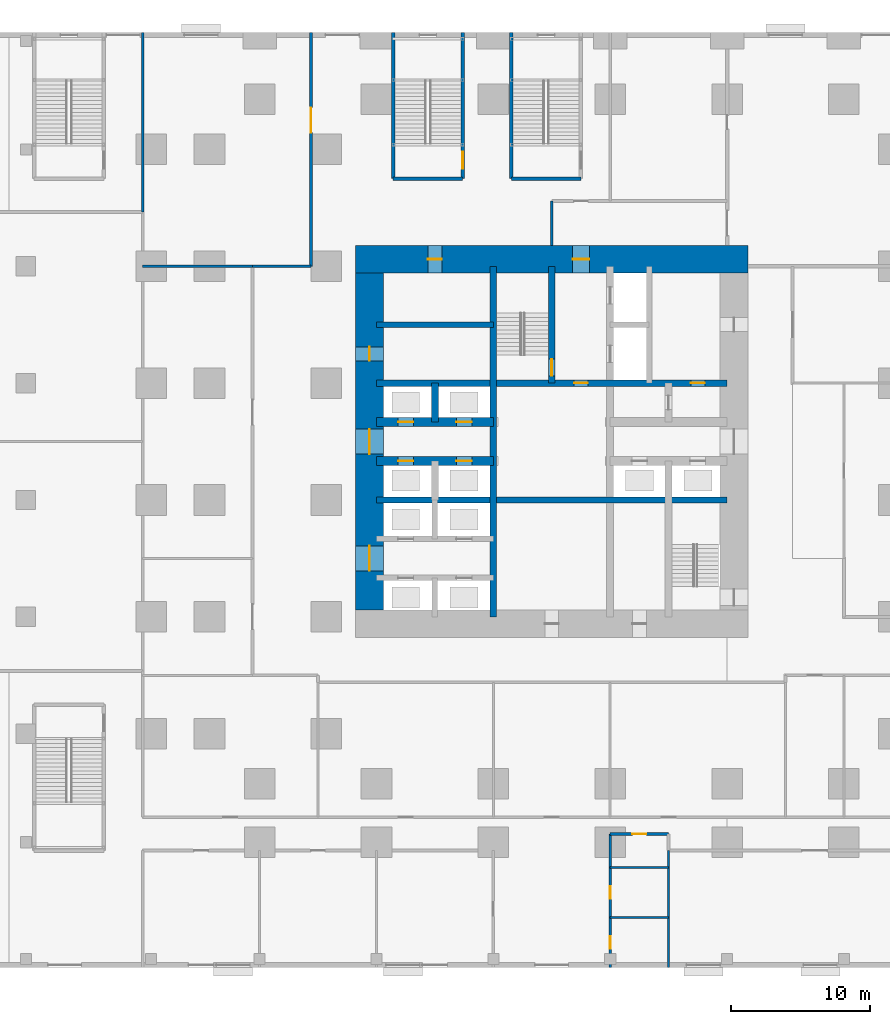
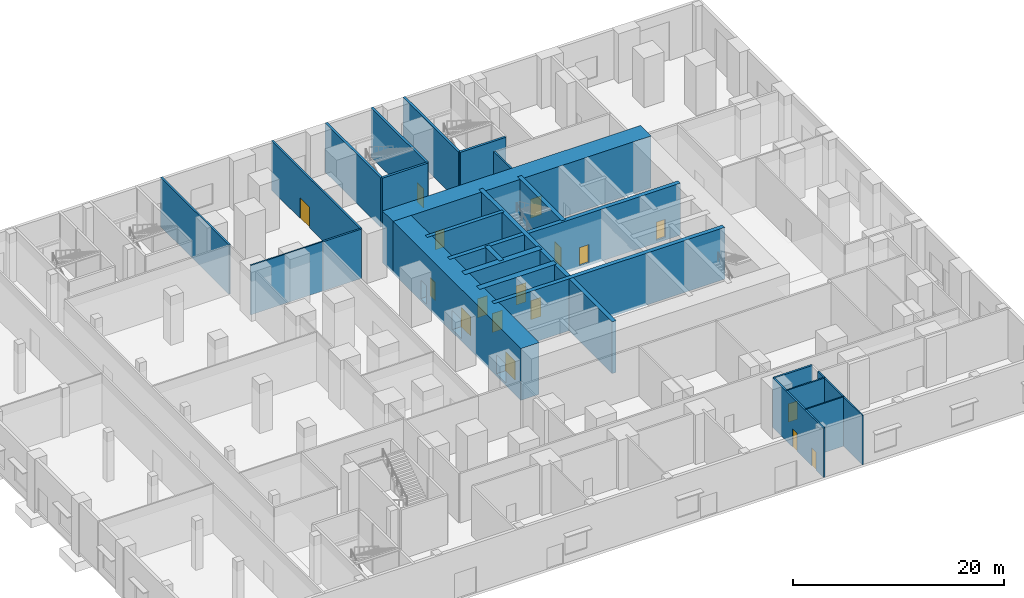
# One storey, part 18 of 26: 25 walls, 17 doors, 17 openings.
"""IFC4 building model written with IfcOpenShell, lengths in metres."""

from ifc_helpers import new_model, si_unit, direction, frame, frame_2d, origin, place, context, subcontext, project, spatial, rectangle, extrude, material, layer, layer_set, type_object, element, fill, save


model = new_model("IFC4")

# Units and contexts
model_context = context("Model", 3, precision=1e-05, world=origin(), true_north=direction((0.0, 1.0)))
body_context = subcontext(model_context, "Body", "Model", "MODEL_VIEW")
ifc_project = project(units=[si_unit("LENGTHUNIT", "METRE"), si_unit("AREAUNIT", "SQUARE_METRE"), si_unit("VOLUMEUNIT", "CUBIC_METRE"), si_unit("PLANEANGLEUNIT", "RADIAN"), si_unit("MASSUNIT", "GRAM", prefix="KILO")], contexts=[model_context])

# Site, building, storey
site_placement = place(None, origin())
site = spatial("IfcSite", under=ifc_project, at=site_placement, CompositionType="ELEMENT")
building_placement = place(site_placement, origin())
building = spatial("IfcBuilding", under=site, at=building_placement, Name="Dunama Terrace Hotel", CompositionType="ELEMENT")
storey_placement = place(building_placement, origin())
storey = spatial("IfcBuildingStorey", under=building, at=storey_placement, Name="L00", CompositionType="ELEMENT", Elevation=0.0)

# Walls
ifc_material_1 = material(Name="Concrete C50/60", Category="concrete")
ifc_layer_1 = layer(ifc_material_1, 0.39990234375)
ifc_layer_set_1 = layer_set([ifc_layer_1], Name="Core inner wall 400")
wall_type_1 = type_object("IfcWallType", Name="Core inner wall 400", PredefinedType="SHEAR", material=ifc_layer_set_1)
wall_1_placement = place(storey_placement, frame((16.800048828125, 37.800048828125, -0.300048828125), z_axis=(0.0, 0.0, 1.0), x_axis=(1.0, 0.0, 0.0)))
element("IfcWall", 1, at=wall_1_placement, inside=storey, type_object=wall_type_1, Name="Core inner wall 400 L00", PredefinedType="SHEAR", context=body_context, shape_type="SweptSolid", body=[
    extrude(rectangle(XDim=8.39990234375, YDim=0.39990234375, at=frame_2d((4.199951171875, 0.0))), origin(), (0.0, 0.0, 1.0), 6.0),
])
ifc_material_2 = material(Name="Concrete C50/60", Category="concrete")
ifc_layer_2 = layer(ifc_material_2, 0.449951171875)
ifc_layer_set_2 = layer_set([ifc_layer_2], Name="Core inner wall 450")
wall_type_2 = type_object("IfcWallType", Name="Core inner wall 450", PredefinedType="SHEAR", material=ifc_layer_set_2)
wall_2_placement = place(storey_placement, frame((25.199951171875, 16.800048828125, -0.300048828125), z_axis=(0.0, 0.0, 1.0), x_axis=(0.0, 1.0, 0.0)))
element("IfcWall", 2, at=wall_2_placement, inside=storey, type_object=wall_type_2, Name="Core inner wall 450 L00", PredefinedType="SHEAR", context=body_context, shape_type="SweptSolid", body=[
    extrude(rectangle(XDim=25.199951171875, YDim=0.449951171875, at=frame_2d((12.60009765625, 0.0))), origin(), (0.0, 0.0, 1.0), 6.0),
])

# Wall, opening, door
wall_3_placement = place(storey_placement, frame((29.39990234375, 33.60009765625, -0.300048828125), z_axis=(0.0, 0.0, 1.0), x_axis=(0.0, 1.0, 0.0)))
wall_3 = element("IfcWall", 3, at=wall_3_placement, inside=storey, type_object=wall_type_2, Name="Core inner wall 450 L00", PredefinedType="SHEAR", context=body_context, shape_type="SweptSolid", body=[
    extrude(rectangle(XDim=8.39990234375, YDim=0.449951171875, at=frame_2d((4.199951171875, 0.0))), origin(), (0.0, 0.0, 1.0), 6.0),
])
opening_1_placement = place(wall_3_placement, frame((0.52490234375, 0.0, 0.300048828125)))
opening_1 = element("IfcOpeningElement", 4, at=opening_1_placement, cuts=wall_3, Name="Opening L00-020", PredefinedType="OPENING", context=body_context, shape_type="SweptSolid", body=[
    extrude(rectangle(XDim=1.199951171875, YDim=2.199951171875, at=frame_2d((0.60009765625, 1.10009765625))), frame((0.0, 0.23486328125, 0.0), z_axis=(0.0, -1.0, 0.0), x_axis=(1.0, 0.0, 0.0)), (0.0, 0.0, 1.0), 0.469970703125),
])
ifc_material_3 = material(Name="Timber door with steel frame", Category="steel")
door_type_1 = type_object("IfcDoorType", Name="Stair door 1200", OperationType="SINGLE_SWING_LEFT", PredefinedType="DOOR", material=ifc_material_3)
door_1_placement = place(opening_1_placement, frame((1.199951171875, 0.0, 0.0), z_axis=(0.0, 0.0, 1.0), x_axis=(-1.0, 0.0, 0.0)))
door_1 = element("IfcDoor", 5, at=door_1_placement, inside=storey, type_object=door_type_1, Name="Stair door ST1 L00-020, type D5", OperationType="SINGLE_SWING_RIGHT", OverallHeight=2.199951171875, OverallWidth=1.199951171875, PredefinedType="DOOR", context=body_context, shape_type="SweptSolid", body=[
    extrude(rectangle(XDim=1.199951171875, YDim=2.199951171875, at=frame_2d((0.599853515625, 1.10009765625))), frame((0.0, 0.025146484375, 0.0), z_axis=(0.0, -1.0, 0.0), x_axis=(1.0, 0.0, 0.0)), (0.0, 0.0, 1.0), 0.050048828125),
])
fill(opening_1, door_1)

# Wall
wall_4_placement = place(storey_placement, frame((16.800048828125, 25.199951171875, -0.300048828125), z_axis=(0.0, 0.0, 1.0), x_axis=(1.0, 0.0, 0.0)))
element("IfcWall", 6, at=wall_4_placement, inside=storey, type_object=wall_type_2, Name="Core inner wall 450 L00", PredefinedType="SHEAR", context=body_context, shape_type="SweptSolid", body=[
    extrude(rectangle(XDim=25.199951171875, YDim=0.449951171875, at=frame_2d((12.60009765625, 0.0))), origin(), (0.0, 0.0, 1.0), 6.0),
])

# Wall, openings, doors
wall_5_placement = place(storey_placement, frame((16.800048828125, 33.60009765625, -0.300048828125), z_axis=(0.0, 0.0, 1.0), x_axis=(1.0, 0.0, 0.0)))
wall_5 = element("IfcWall", 7, at=wall_5_placement, inside=storey, type_object=wall_type_2, Name="Core inner wall 450 L00", PredefinedType="SHEAR", context=body_context, shape_type="SweptSolid", body=[
    extrude(rectangle(XDim=25.199951171875, YDim=0.449951171875, at=frame_2d((12.60009765625, 0.0))), origin(), (0.0, 0.0, 1.0), 6.0),
])
opening_2_placement = place(wall_5_placement, frame((14.199951171875, 0.0, 0.300048828125)))
opening_2 = element("IfcOpeningElement", 8, at=opening_2_placement, cuts=wall_5, Name="Opening L00-044", PredefinedType="OPENING", context=body_context, shape_type="SweptSolid", body=[
    extrude(rectangle(XDim=1.0, YDim=2.10009765625, at=frame_2d((0.5, 1.050048828125))), frame((0.0, 0.23486328125, 0.0), z_axis=(0.0, -1.0, 0.0), x_axis=(1.0, 0.0, 0.0)), (0.0, 0.0, 1.0), 0.469970703125),
])
opening_3_placement = place(wall_5_placement, frame((22.60009765625, 0.0, 0.300048828125)))
opening_3 = element("IfcOpeningElement", 9, at=opening_3_placement, cuts=wall_5, Name="Opening L00-046", PredefinedType="OPENING", context=body_context, shape_type="SweptSolid", body=[
    extrude(rectangle(XDim=1.0, YDim=2.10009765625, at=frame_2d((0.5, 1.050048828125))), frame((0.0, 0.23486328125, 0.0), z_axis=(0.0, -1.0, 0.0), x_axis=(1.0, 0.0, 0.0)), (0.0, 0.0, 1.0), 0.469970703125),
])
ifc_material_4 = material(Name="Timber door with steel frame", Category="steel")
door_type_2 = type_object("IfcDoorType", Name="Service door 1000", OperationType="SINGLE_SWING_LEFT", PredefinedType="DOOR", material=ifc_material_4)
door_2_placement = place(opening_2_placement, frame((1.0, 0.0, 0.0), z_axis=(0.0, 0.0, 1.0), x_axis=(-1.0, 0.0, 0.0)))
door_2 = element("IfcDoor", 10, at=door_2_placement, inside=storey, type_object=door_type_2, Name="Door to front office store L00-044, type D7", OperationType="SINGLE_SWING_LEFT", OverallHeight=2.10009765625, OverallWidth=1.0, PredefinedType="DOOR", context=body_context, shape_type="SweptSolid", body=[
    extrude(rectangle(XDim=1.0, YDim=2.10009765625, at=frame_2d((0.5, 1.050048828125))), frame((0.0, 0.025146484375, 0.0), z_axis=(0.0, -1.0, 0.0), x_axis=(1.0, 0.0, 0.0)), (0.0, 0.0, 1.0), 0.050048828125),
])
fill(opening_2, door_2)
door_3_placement = place(opening_3_placement, frame((1.0, 0.0, 0.0), z_axis=(0.0, 0.0, 1.0), x_axis=(-1.0, 0.0, 0.0)))
door_3 = element("IfcDoor", 11, at=door_3_placement, inside=storey, type_object=door_type_2, Name="Door to housekeeping and linen store L00-046, type D7", OperationType="SINGLE_SWING_LEFT", OverallHeight=2.10009765625, OverallWidth=1.0, PredefinedType="DOOR", context=body_context, shape_type="SweptSolid", body=[
    extrude(rectangle(XDim=1.0, YDim=2.10009765625, at=frame_2d((0.5, 1.050048828125))), frame((0.0, 0.025146484375, 0.0), z_axis=(0.0, -1.0, 0.0), x_axis=(1.0, 0.0, 0.0)), (0.0, 0.0, 1.0), 0.050048828125),
])
fill(opening_3, door_3)

# Wall
ifc_material_5 = material(Name="Concrete C50/60", Category="concrete")
ifc_layer_3 = layer(ifc_material_5, 0.5)
ifc_layer_set_3 = layer_set([ifc_layer_3], Name="Core inner wall 500")
wall_type_3 = type_object("IfcWallType", Name="Core inner wall 500", PredefinedType="SHEAR", material=ifc_layer_set_3)
wall_6_placement = place(storey_placement, frame((21.0, 30.800048828125, -0.300048828125), z_axis=(0.0, 0.0, 1.0), x_axis=(0.0, 1.0, 0.0)))
element("IfcWall", 12, at=wall_6_placement, inside=storey, type_object=wall_type_3, Name="Core inner wall 500 L00", PredefinedType="SHEAR", context=body_context, shape_type="SweptSolid", body=[
    extrude(rectangle(XDim=2.800048828125, YDim=0.5, at=frame_2d((1.39990234375, 0.0))), origin(), (0.0, 0.0, 1.0), 6.0),
])

# Wall, openings, doors
ifc_material_6 = material(Name="Concrete C50/60", Category="concrete")
ifc_layer_4 = layer(ifc_material_6, 0.64990234375)
ifc_layer_set_4 = layer_set([ifc_layer_4], Name="Core inner wall 650")
wall_type_4 = type_object("IfcWallType", Name="Core inner wall 650", PredefinedType="SHEAR", material=ifc_layer_set_4)
wall_7_placement = place(storey_placement, frame((16.800048828125, 28.0, -0.300048828125), z_axis=(0.0, 0.0, 1.0), x_axis=(1.0, 0.0, 0.0)))
wall_7 = element("IfcWall", 13, at=wall_7_placement, inside=storey, type_object=wall_type_4, Name="Core inner wall 650 L00", PredefinedType="SHEAR", context=body_context, shape_type="SweptSolid", body=[
    extrude(rectangle(XDim=8.39990234375, YDim=0.64990234375, at=frame_2d((4.199951171875, 0.0))), origin(), (0.0, 0.0, 1.0), 6.0),
])
opening_4_placement = place(wall_7_placement, frame((1.550048828125, 0.0, 0.300048828125)))
opening_4 = element("IfcOpeningElement", 14, at=opening_4_placement, cuts=wall_7, Name="Opening L00-028", PredefinedType="OPENING", context=body_context, shape_type="SweptSolid", body=[
    extrude(rectangle(XDim=1.10009765625, YDim=2.199951171875, at=frame_2d((0.550048828125, 1.10009765625))), frame((0.0, 0.3349609375, 0.0), z_axis=(0.0, -1.0, 0.0), x_axis=(1.0, 0.0, 0.0)), (0.0, 0.0, 1.0), 0.669921875),
])
opening_5_placement = place(wall_7_placement, frame((5.75, 0.0, 0.300048828125)))
opening_5 = element("IfcOpeningElement", 15, at=opening_5_placement, cuts=wall_7, Name="Opening L00-029", PredefinedType="OPENING", context=body_context, shape_type="SweptSolid", body=[
    extrude(rectangle(XDim=1.10009765625, YDim=2.199951171875, at=frame_2d((0.550048828125, 1.10009765625))), frame((0.0, 0.3349609375, 0.0), z_axis=(0.0, -1.0, 0.0), x_axis=(1.0, 0.0, 0.0)), (0.0, 0.0, 1.0), 0.669921875),
])
ifc_material_7 = material(Name="Stainless steel lift door", Category="steel")
door_type_3 = type_object("IfcDoorType", Name="Lift landing door 1100", OperationType="DOUBLE_DOOR_SLIDING", PredefinedType="DOOR", material=ifc_material_7)
door_4_placement = place(opening_4_placement, origin())
door_4 = element("IfcDoor", 16, at=door_4_placement, inside=storey, type_object=door_type_3, Name="Landing door PA1 L00-028, type LD1", OperationType="DOUBLE_DOOR_SLIDING", OverallHeight=2.199951171875, OverallWidth=1.10009765625, PredefinedType="DOOR", context=body_context, shape_type="SweptSolid", body=[
    extrude(rectangle(XDim=1.10009765625, YDim=2.199951171875, at=frame_2d((0.550048828125, 1.10009765625))), frame((0.0, 0.02490234375, 0.0), z_axis=(0.0, -1.0, 0.0), x_axis=(1.0, 0.0, 0.0)), (0.0, 0.0, 1.0), 0.050048828125),
])
fill(opening_4, door_4)
door_5_placement = place(opening_5_placement, origin())
door_5 = element("IfcDoor", 17, at=door_5_placement, inside=storey, type_object=door_type_3, Name="Landing door PA2 L00-029, type LD1", OperationType="DOUBLE_DOOR_SLIDING", OverallHeight=2.199951171875, OverallWidth=1.10009765625, PredefinedType="DOOR", context=body_context, shape_type="SweptSolid", body=[
    extrude(rectangle(XDim=1.10009765625, YDim=2.199951171875, at=frame_2d((0.550048828125, 1.10009765625))), frame((0.0, 0.02490234375, 0.0), z_axis=(0.0, -1.0, 0.0), x_axis=(1.0, 0.0, 0.0)), (0.0, 0.0, 1.0), 0.050048828125),
])
fill(opening_5, door_5)

wall_8_placement = place(storey_placement, frame((16.800048828125, 30.800048828125, -0.300048828125), z_axis=(0.0, 0.0, 1.0), x_axis=(1.0, 0.0, 0.0)))
wall_8 = element("IfcWall", 18, at=wall_8_placement, inside=storey, type_object=wall_type_4, Name="Core inner wall 650 L00", PredefinedType="SHEAR", context=body_context, shape_type="SweptSolid", body=[
    extrude(rectangle(XDim=8.39990234375, YDim=0.64990234375, at=frame_2d((4.199951171875, 0.0))), origin(), (0.0, 0.0, 1.0), 6.0),
])
opening_6_placement = place(wall_8_placement, frame((1.550048828125, 0.0, 0.300048828125)))
opening_6 = element("IfcOpeningElement", 19, at=opening_6_placement, cuts=wall_8, Name="Opening L00-030", PredefinedType="OPENING", context=body_context, shape_type="SweptSolid", body=[
    extrude(rectangle(XDim=1.10009765625, YDim=2.199951171875, at=frame_2d((0.550048828125, 1.10009765625))), frame((0.0, 0.3349609375, 0.0), z_axis=(0.0, -1.0, 0.0), x_axis=(1.0, 0.0, 0.0)), (0.0, 0.0, 1.0), 0.669921875),
])
opening_7_placement = place(wall_8_placement, frame((5.75, 0.0, 0.300048828125)))
opening_7 = element("IfcOpeningElement", 20, at=opening_7_placement, cuts=wall_8, Name="Opening L00-031", PredefinedType="OPENING", context=body_context, shape_type="SweptSolid", body=[
    extrude(rectangle(XDim=1.10009765625, YDim=2.199951171875, at=frame_2d((0.550048828125, 1.10009765625))), frame((0.0, 0.3349609375, 0.0), z_axis=(0.0, -1.0, 0.0), x_axis=(1.0, 0.0, 0.0)), (0.0, 0.0, 1.0), 0.669921875),
])
door_6_placement = place(opening_6_placement, origin())
door_6 = element("IfcDoor", 21, at=door_6_placement, inside=storey, type_object=door_type_3, Name="Landing door PA3 L00-030, type LD1", OperationType="DOUBLE_DOOR_SLIDING", OverallHeight=2.199951171875, OverallWidth=1.10009765625, PredefinedType="DOOR", context=body_context, shape_type="SweptSolid", body=[
    extrude(rectangle(XDim=1.10009765625, YDim=2.199951171875, at=frame_2d((0.550048828125, 1.10009765625))), frame((0.0, 0.02490234375, 0.0), z_axis=(0.0, -1.0, 0.0), x_axis=(1.0, 0.0, 0.0)), (0.0, 0.0, 1.0), 0.050048828125),
])
fill(opening_6, door_6)
door_7_placement = place(opening_7_placement, origin())
door_7 = element("IfcDoor", 22, at=door_7_placement, inside=storey, type_object=door_type_3, Name="Landing door PA4 L00-031, type LD1", OperationType="DOUBLE_DOOR_SLIDING", OverallHeight=2.199951171875, OverallWidth=1.10009765625, PredefinedType="DOOR", context=body_context, shape_type="SweptSolid", body=[
    extrude(rectangle(XDim=1.10009765625, YDim=2.199951171875, at=frame_2d((0.550048828125, 1.10009765625))), frame((0.0, 0.02490234375, 0.0), z_axis=(0.0, -1.0, 0.0), x_axis=(1.0, 0.0, 0.0)), (0.0, 0.0, 1.0), 0.050048828125),
])
fill(opening_7, door_7)

ifc_material_8 = material(Name="Concrete C60/75", Category="concrete")
ifc_layer_5 = layer(ifc_material_8, 2.0)
ifc_layer_set_5 = layer_set([ifc_layer_5], Name="Core wall 2000")
wall_type_5 = type_object("IfcWallType", Name="Core wall 2000", PredefinedType="SHEAR", material=ifc_layer_set_5)
wall_9_placement = place(storey_placement, frame((43.5, 42.5, -0.300048828125), z_axis=(0.0, 0.0, 1.0), x_axis=(-1.0, 0.0, 0.0)))
wall_9 = element("IfcWall", 23, at=wall_9_placement, inside=storey, type_object=wall_type_5, Name="Core wall north L00", PredefinedType="SHEAR", context=body_context, shape_type="SweptSolid", body=[
    extrude(rectangle(XDim=28.199951171875, YDim=2.0, at=frame_2d((14.10009765625, 0.0))), origin(), (0.0, 0.0, 1.0), 6.0),
])
opening_8_placement = place(wall_9_placement, frame((22.0, 0.0, 0.300048828125)))
opening_8 = element("IfcOpeningElement", 24, at=opening_8_placement, cuts=wall_9, Name="Opening L00-043", PredefinedType="OPENING", context=body_context, shape_type="SweptSolid", body=[
    extrude(rectangle(XDim=1.0, YDim=2.10009765625, at=frame_2d((0.5, 1.050048828125))), frame((0.0, 1.010009765625, 0.0), z_axis=(0.0, -1.0, 0.0), x_axis=(1.0, 0.0, 0.0)), (0.0, 0.0, 1.0), 2.02001953125),
])
opening_9_placement = place(wall_9_placement, frame((11.39990234375, 0.0, 0.300048828125)))
opening_9 = element("IfcOpeningElement", 25, at=opening_9_placement, cuts=wall_9, Name="Opening L00-048", PredefinedType="OPENING", context=body_context, shape_type="SweptSolid", body=[
    extrude(rectangle(XDim=1.199951171875, YDim=2.199951171875, at=frame_2d((0.60009765625, 1.10009765625))), frame((0.0, 1.010009765625, 0.0), z_axis=(0.0, -1.0, 0.0), x_axis=(1.0, 0.0, 0.0)), (0.0, 0.0, 1.0), 2.02001953125),
])
ifc_material_9 = material(Name="Timber door with steel frame", Category="steel")
door_type_4 = type_object("IfcDoorType", Name="Firefighting lobby door 1200", OperationType="SINGLE_SWING_LEFT", PredefinedType="DOOR", material=ifc_material_9)
door_8_placement = place(opening_9_placement, origin())
door_8 = element("IfcDoor", 26, at=door_8_placement, inside=storey, type_object=door_type_4, Name="Door to firefighting lobby L00-048, type D4", OperationType="SINGLE_SWING_LEFT", OverallHeight=2.199951171875, OverallWidth=1.199951171875, PredefinedType="DOOR", context=body_context, shape_type="SweptSolid", body=[
    extrude(rectangle(XDim=1.199951171875, YDim=2.199951171875, at=frame_2d((0.60009765625, 1.10009765625))), frame((0.0, 0.02490234375, 0.0), z_axis=(0.0, -1.0, 0.0), x_axis=(1.0, 0.0, 0.0)), (0.0, 0.0, 1.0), 0.050048828125),
])
fill(opening_9, door_8)
door_9_placement = place(opening_8_placement, origin())
door_9 = element("IfcDoor", 27, at=door_9_placement, inside=storey, type_object=door_type_2, Name="Door to communications and riser room L00-043, type D7", OperationType="SINGLE_SWING_RIGHT", OverallHeight=2.10009765625, OverallWidth=1.0, PredefinedType="DOOR", context=body_context, shape_type="SweptSolid", body=[
    extrude(rectangle(XDim=1.0, YDim=2.10009765625, at=frame_2d((0.5, 1.050048828125))), frame((0.0, 0.02490234375, 0.0), z_axis=(0.0, -1.0, 0.0), x_axis=(1.0, 0.0, 0.0)), (0.0, 0.0, 1.0), 0.050048828125),
])
fill(opening_8, door_9)

wall_10_placement = place(storey_placement, frame((16.300048828125, 41.5, -0.300048828125), z_axis=(0.0, 0.0, 1.0), x_axis=(0.0, -1.0, 0.0)))
wall_10 = element("IfcWall", 28, at=wall_10_placement, inside=storey, type_object=wall_type_5, Name="Core wall west L00", PredefinedType="SHEAR", context=body_context, shape_type="SweptSolid", body=[
    extrude(rectangle(XDim=24.199951171875, YDim=2.0, at=frame_2d((12.10009765625, 0.0))), origin(), (0.0, 0.0, 1.0), 6.0),
])
opening_10_placement = place(wall_10_placement, frame((11.199951171875, 0.0, 0.300048828125)))
opening_10 = element("IfcOpeningElement", 29, at=opening_10_placement, cuts=wall_10, Name="Opening L00-040", PredefinedType="OPENING", context=body_context, shape_type="SweptSolid", body=[
    extrude(rectangle(XDim=1.800048828125, YDim=2.199951171875, at=frame_2d((0.89990234375, 1.10009765625))), frame((0.0, 1.010009765625, 0.0), z_axis=(0.0, -1.0, 0.0), x_axis=(1.0, 0.0, 0.0)), (0.0, 0.0, 1.0), 2.02001953125),
])
opening_11_placement = place(wall_10_placement, frame((19.60009765625, 0.0, 0.300048828125)))
opening_11 = element("IfcOpeningElement", 30, at=opening_11_placement, cuts=wall_10, Name="Opening L00-041", PredefinedType="OPENING", context=body_context, shape_type="SweptSolid", body=[
    extrude(rectangle(XDim=1.800048828125, YDim=2.199951171875, at=frame_2d((0.89990234375, 1.10009765625))), frame((0.0, 1.010009765625, 0.0), z_axis=(0.0, -1.0, 0.0), x_axis=(1.0, 0.0, 0.0)), (0.0, 0.0, 1.0), 2.02001953125),
])
opening_12_placement = place(wall_10_placement, frame((5.300048828125, 0.0, 0.300048828125)))
opening_12 = element("IfcOpeningElement", 31, at=opening_12_placement, cuts=wall_10, Name="Opening L00-042", PredefinedType="OPENING", context=body_context, shape_type="SweptSolid", body=[
    extrude(rectangle(XDim=1.0, YDim=2.10009765625, at=frame_2d((0.5, 1.050048828125))), frame((0.0, 1.010009765625, 0.0), z_axis=(0.0, -1.0, 0.0), x_axis=(1.0, 0.0, 0.0)), (0.0, 0.0, 1.0), 2.02001953125),
])
ifc_material_10 = material(Name="Timber door with steel frame", Category="steel")
door_type_5 = type_object("IfcDoorType", Name="Lift lobby double door 1800", OperationType="DOUBLE_DOOR_DOUBLE_SWING", PredefinedType="DOOR", material=ifc_material_10)
door_10_placement = place(opening_10_placement, origin())
door_10 = element("IfcDoor", 32, at=door_10_placement, inside=storey, type_object=door_type_5, Name="Door to lift lobby L00-040, type D3", OperationType="DOUBLE_DOOR_DOUBLE_SWING", OverallHeight=2.199951171875, OverallWidth=1.800048828125, PredefinedType="DOOR", context=body_context, shape_type="SweptSolid", body=[
    extrude(rectangle(XDim=1.800048828125, YDim=2.199951171875, at=frame_2d((0.89990234375, 1.10009765625))), frame((0.0, 0.02490234375, 0.0), z_axis=(0.0, -1.0, 0.0), x_axis=(1.0, 0.0, 0.0)), (0.0, 0.0, 1.0), 0.050048828125),
])
fill(opening_10, door_10)
door_11_placement = place(opening_11_placement, origin())
door_11 = element("IfcDoor", 33, at=door_11_placement, inside=storey, type_object=door_type_5, Name="Door to lift lobby L00-041, type D3", OperationType="DOUBLE_DOOR_DOUBLE_SWING", OverallHeight=2.199951171875, OverallWidth=1.800048828125, PredefinedType="DOOR", context=body_context, shape_type="SweptSolid", body=[
    extrude(rectangle(XDim=1.800048828125, YDim=2.199951171875, at=frame_2d((0.89990234375, 1.10009765625))), frame((0.0, 0.02490234375, 0.0), z_axis=(0.0, -1.0, 0.0), x_axis=(1.0, 0.0, 0.0)), (0.0, 0.0, 1.0), 0.050048828125),
])
fill(opening_11, door_11)
door_12_placement = place(opening_12_placement, origin())
door_12 = element("IfcDoor", 34, at=door_12_placement, inside=storey, type_object=door_type_2, Name="Door to electrical room L00-042, type D7", OperationType="SINGLE_SWING_RIGHT", OverallHeight=2.10009765625, OverallWidth=1.0, PredefinedType="DOOR", context=body_context, shape_type="SweptSolid", body=[
    extrude(rectangle(XDim=1.0, YDim=2.10009765625, at=frame_2d((0.5, 1.050048828125))), frame((0.0, 0.02490234375, 0.0), z_axis=(0.0, -1.0, 0.0), x_axis=(1.0, 0.0, 0.0)), (0.0, 0.0, 1.0), 0.050048828125),
])
fill(opening_12, door_12)

# Walls
ifc_material_11 = material(Name="Concrete blockwork", Category="masonry")
ifc_layer_6 = layer(ifc_material_11, 0.199951171875)
ifc_layer_set_6 = layer_set([ifc_layer_6], Name="Corridor partition 200")
wall_type_6 = type_object("IfcWallType", Name="Corridor partition 200", PredefinedType="PARTITIONING", material=ifc_layer_set_6)
wall_11_placement = place(storey_placement, frame((0.0, 45.89990234375, 0.0), z_axis=(0.0, 0.0, 1.0), x_axis=(0.0, 1.0, 0.0)))
element("IfcWall", 35, at=wall_11_placement, inside=storey, type_object=wall_type_6, Name="Corridor partition 200 L00", PredefinedType="PARTITIONING", context=body_context, shape_type="SweptSolid", body=[
    extrude(rectangle(XDim=12.900146484375, YDim=0.199951171875, at=frame_2d((6.4501953125, 0.0))), origin(), (0.0, 0.0, 1.0), 5.699951171875),
])
wall_12_placement = place(storey_placement, frame((29.39990234375, 43.5, 0.0), z_axis=(0.0, 0.0, 1.0), x_axis=(0.0, 1.0, 0.0)))
element("IfcWall", 36, at=wall_12_placement, inside=storey, type_object=wall_type_6, Name="Corridor partition 200 L00", PredefinedType="PARTITIONING", context=body_context, shape_type="SweptSolid", body=[
    extrude(rectangle(XDim=3.199951171875, YDim=0.199951171875, at=frame_2d((1.60009765625, 0.0))), origin(), (0.0, 0.0, 1.0), 5.699951171875),
])

# Wall, openings, doors
wall_13_placement = place(storey_placement, frame((33.60009765625, -8.39990234375, 0.0), z_axis=(0.0, 0.0, 1.0), x_axis=(0.0, 1.0, 0.0)))
wall_13 = element("IfcWall", 37, at=wall_13_placement, inside=storey, type_object=wall_type_6, Name="Corridor partition 200 L00", PredefinedType="PARTITIONING", context=body_context, shape_type="SweptSolid", body=[
    extrude(rectangle(XDim=9.599853515625, YDim=0.199951171875, at=frame_2d((4.7998046875, 0.0))), origin(), (0.0, 0.0, 1.0), 5.699951171875),
])
opening_13_placement = place(wall_13_placement, frame((1.35009765625, 0.0, 0.0)))
opening_13 = element("IfcOpeningElement", 38, at=opening_13_placement, cuts=wall_13, Name="Opening L00-066", PredefinedType="OPENING", context=body_context, shape_type="SweptSolid", body=[
    extrude(rectangle(XDim=0.89990234375, YDim=2.10009765625, at=frame_2d((0.449951171875, 1.050048828125))), frame((0.0, 0.10986328125, 0.0), z_axis=(0.0, -1.0, 0.0), x_axis=(1.0, 0.0, 0.0)), (0.0, 0.0, 1.0), 0.219970703125),
])
opening_14_placement = place(wall_13_placement, frame((4.949951171875, 0.0, 0.0)))
opening_14 = element("IfcOpeningElement", 39, at=opening_14_placement, cuts=wall_13, Name="Opening L00-067", PredefinedType="OPENING", context=body_context, shape_type="SweptSolid", body=[
    extrude(rectangle(XDim=0.89990234375, YDim=2.10009765625, at=frame_2d((0.449951171875, 1.050048828125))), frame((0.0, 0.10986328125, 0.0), z_axis=(0.0, -1.0, 0.0), x_axis=(1.0, 0.0, 0.0)), (0.0, 0.0, 1.0), 0.219970703125),
])
ifc_material_12 = material(Name="Timber door with steel frame", Category="steel")
door_type_6 = type_object("IfcDoorType", Name="WC door 900", OperationType="SINGLE_SWING_LEFT", PredefinedType="DOOR", material=ifc_material_12)
door_13_placement = place(opening_13_placement, frame((0.89990234375, 0.0, 0.0), z_axis=(0.0, 0.0, 1.0), x_axis=(-1.0, 0.0, 0.0)))
door_13 = element("IfcDoor", 40, at=door_13_placement, inside=storey, type_object=door_type_6, Name="Door to male wc L00-066, type D6", OperationType="SINGLE_SWING_RIGHT", OverallHeight=2.10009765625, OverallWidth=0.89990234375, PredefinedType="DOOR", context=body_context, shape_type="SweptSolid", body=[
    extrude(rectangle(XDim=0.89990234375, YDim=2.10009765625, at=frame_2d((0.449951171875, 1.050048828125))), frame((0.0, 0.025146484375, 0.0), z_axis=(0.0, -1.0, 0.0), x_axis=(1.0, 0.0, 0.0)), (0.0, 0.0, 1.0), 0.050048828125),
])
fill(opening_13, door_13)
door_14_placement = place(opening_14_placement, frame((0.89990234375, 0.0, 0.0), z_axis=(0.0, 0.0, 1.0), x_axis=(-1.0, 0.0, 0.0)))
door_14 = element("IfcDoor", 41, at=door_14_placement, inside=storey, type_object=door_type_6, Name="Door to female wc L00-067, type D6", OperationType="SINGLE_SWING_RIGHT", OverallHeight=2.10009765625, OverallWidth=0.89990234375, PredefinedType="DOOR", context=body_context, shape_type="SweptSolid", body=[
    extrude(rectangle(XDim=0.89990234375, YDim=2.10009765625, at=frame_2d((0.449951171875, 1.050048828125))), frame((0.0, 0.025146484375, 0.0), z_axis=(0.0, -1.0, 0.0), x_axis=(1.0, 0.0, 0.0)), (0.0, 0.0, 1.0), 0.050048828125),
])
fill(opening_14, door_14)

# Wall, opening, door
wall_14_placement = place(storey_placement, frame((33.60009765625, 1.199951171875, 0.0), z_axis=(0.0, 0.0, 1.0), x_axis=(1.0, 0.0, 0.0)))
wall_14 = element("IfcWall", 42, at=wall_14_placement, inside=storey, type_object=wall_type_6, Name="Corridor partition 200 L00", PredefinedType="PARTITIONING", context=body_context, shape_type="SweptSolid", body=[
    extrude(rectangle(XDim=4.199951171875, YDim=0.199951171875, at=frame_2d((2.10009765625, 0.0))), origin(), (0.0, 0.0, 1.0), 5.699951171875),
])
opening_15_placement = place(wall_14_placement, frame((1.60009765625, 0.0, 0.0)))
opening_15 = element("IfcOpeningElement", 43, at=opening_15_placement, cuts=wall_14, Name="Opening L00-068", PredefinedType="OPENING", context=body_context, shape_type="SweptSolid", body=[
    extrude(rectangle(XDim=1.0, YDim=2.10009765625, at=frame_2d((0.5, 1.050048828125))), frame((0.0, 0.10986328125, 0.0), z_axis=(0.0, -1.0, 0.0), x_axis=(1.0, 0.0, 0.0)), (0.0, 0.0, 1.0), 0.219970703125),
])
ifc_material_13 = material(Name="Timber door with steel frame", Category="steel")
door_type_7 = type_object("IfcDoorType", Name="Accessible room door 1000", OperationType="SINGLE_SWING_LEFT", PredefinedType="DOOR", material=ifc_material_13)
door_15_placement = place(opening_15_placement, frame((1.0, 0.0, 0.0), z_axis=(0.0, 0.0, 1.0), x_axis=(-1.0, 0.0, 0.0)))
door_15 = element("IfcDoor", 44, at=door_15_placement, inside=storey, type_object=door_type_7, Name="Door to accessible wc L00-068, type D17", OperationType="SINGLE_SWING_RIGHT", OverallHeight=2.10009765625, OverallWidth=1.0, PredefinedType="DOOR", context=body_context, shape_type="SweptSolid", body=[
    extrude(rectangle(XDim=1.0, YDim=2.10009765625, at=frame_2d((0.5, 1.050048828125))), frame((0.0, 0.025146484375, 0.0), z_axis=(0.0, -1.0, 0.0), x_axis=(1.0, 0.0, 0.0)), (0.0, 0.0, 1.0), 0.050048828125),
])
fill(opening_15, door_15)

wall_15_placement = place(storey_placement, frame((12.10009765625, 58.800048828125, 0.0), z_axis=(0.0, 0.0, 1.0), x_axis=(0.0, -1.0, 0.0)))
wall_15 = element("IfcWall", 45, at=wall_15_placement, inside=storey, type_object=wall_type_6, Name="Corridor partition 200 L00", PredefinedType="PARTITIONING", context=body_context, shape_type="SweptSolid", body=[
    extrude(rectangle(XDim=16.800048828125, YDim=0.199951171875, at=frame_2d((8.39990234375, 0.0))), origin(), (0.0, 0.0, 1.0), 5.699951171875),
])
opening_16_placement = place(wall_15_placement, frame((5.39990234375, 0.0, 0.0)))
opening_16 = element("IfcOpeningElement", 46, at=opening_16_placement, cuts=wall_15, Name="Opening L00-064", PredefinedType="OPENING", context=body_context, shape_type="SweptSolid", body=[
    extrude(rectangle(XDim=1.800048828125, YDim=2.39990234375, at=frame_2d((0.89990234375, 1.199951171875))), frame((0.0, 0.10986328125, 0.0), z_axis=(0.0, -1.0, 0.0), x_axis=(1.0, 0.0, 0.0)), (0.0, 0.0, 1.0), 0.219970703125),
])
ifc_material_14 = material(Name="Aluminium-framed glazed door", Category="aluminium")
door_type_8 = type_object("IfcDoorType", Name="Glazed double door 1800", OperationType="DOUBLE_DOOR_DOUBLE_SWING", PredefinedType="DOOR", material=ifc_material_14)
door_16_placement = place(opening_16_placement, origin())
door_16 = element("IfcDoor", 47, at=door_16_placement, inside=storey, type_object=door_type_8, Name="Door to tea lounge L00-064, type D8", OperationType="DOUBLE_DOOR_DOUBLE_SWING", OverallHeight=2.39990234375, OverallWidth=1.800048828125, PredefinedType="DOOR", context=body_context, shape_type="SweptSolid", body=[
    extrude(rectangle(XDim=1.800048828125, YDim=2.39990234375, at=frame_2d((0.89990234375, 1.199951171875))), frame((0.0, 0.02490234375, 0.0), z_axis=(0.0, -1.0, 0.0), x_axis=(1.0, 0.0, 0.0)), (0.0, 0.0, 1.0), 0.050048828125),
])
fill(opening_16, door_16)

# Walls
wall_16_placement = place(storey_placement, frame((12.10009765625, 42.0, 0.0), z_axis=(0.0, 0.0, 1.0), x_axis=(-1.0, 0.0, 0.0)))
element("IfcWall", 48, at=wall_16_placement, inside=storey, type_object=wall_type_6, Name="Corridor partition 200 L00", PredefinedType="PARTITIONING", context=body_context, shape_type="SweptSolid", body=[
    extrude(rectangle(XDim=4.2001953125, YDim=0.199951171875, at=frame_2d((2.10009765625, 0.0))), origin(), (0.0, 0.0, 1.0), 5.699951171875),
])
ifc_material_15 = material(Name="Gypsum board partition", Category="masonry")
ifc_layer_7 = layer(ifc_material_15, 0.14990234375)
ifc_layer_set_7 = layer_set([ifc_layer_7], Name="Room partition 150")
wall_type_7 = type_object("IfcWallType", Name="Room partition 150", PredefinedType="PARTITIONING", material=ifc_layer_set_7)
wall_17_placement = place(storey_placement, frame((37.800048828125, -8.39990234375, 0.0), z_axis=(0.0, 0.0, 1.0), x_axis=(0.0, 1.0, 0.0)))
element("IfcWall", 49, at=wall_17_placement, inside=storey, type_object=wall_type_7, Name="Room partition 150 L00", PredefinedType="PARTITIONING", context=body_context, shape_type="SweptSolid", body=[
    extrude(rectangle(XDim=8.39990234375, YDim=0.14990234375, at=frame_2d((4.199951171875, 0.0))), origin(), (0.0, 0.0, 1.0), 5.699951171875),
])
for number, where, z_axis, x_axis, name in (
    (50, (33.60009765625, -4.800048828125, 0.0), (0.0, 0.0, 1.0), (1.0, 0.0, 0.0), "Room partition 150 L00"),
    (51, (33.60009765625, -1.199951171875, 0.0), (0.0, 0.0, 1.0), (1.0, 0.0, 0.0), "Room partition 150 L00"),
):
    element("IfcWall", number, at=place(storey_placement, frame(where, z_axis=z_axis, x_axis=x_axis)), inside=storey, type_object=wall_type_7, Name=name, PredefinedType="PARTITIONING", context=body_context, shape_type="SweptSolid", body=[
        extrude(rectangle(XDim=4.199951171875, YDim=0.14990234375, at=frame_2d((2.10009765625, 0.0))), origin(), (0.0, 0.0, 1.0), 5.699951171875),
    ])
wall_18_placement = place(storey_placement, frame((0.0, 42.0, 0.0), z_axis=(0.0, 0.0, 1.0), x_axis=(1.0, 0.0, 0.0)))
element("IfcWall", 52, at=wall_18_placement, inside=storey, type_object=wall_type_7, Name="Room partition 150 L00", PredefinedType="PARTITIONING", context=body_context, shape_type="SweptSolid", body=[
    extrude(rectangle(XDim=7.89990234375, YDim=0.14990234375, at=frame_2d((3.949951171875, 0.0))), origin(), (0.0, 0.0, 1.0), 5.699951171875),
])
ifc_material_16 = material(Name="Concrete blockwork", Category="masonry")
ifc_layer_8 = layer(ifc_material_16, 0.25)
ifc_layer_set_8 = layer_set([ifc_layer_8], Name="Stair enclosure wall 250")
wall_type_8 = type_object("IfcWallType", Name="Stair enclosure wall 250", PredefinedType="PARTITIONING", material=ifc_layer_set_8)
wall_19_placement = place(storey_placement, frame((18.0, 48.300048828125, 0.0), z_axis=(0.0, 0.0, 1.0), x_axis=(0.0, 1.0, 0.0)))
element("IfcWall", 53, at=wall_19_placement, inside=storey, type_object=wall_type_8, Name="Stair enclosure wall 250 L00", PredefinedType="PARTITIONING", context=body_context, shape_type="SweptSolid", body=[
    extrude(rectangle(XDim=10.5, YDim=0.25, at=frame_2d((5.25, 0.0))), origin(), (0.0, 0.0, 1.0), 5.699951171875),
])

# Wall, opening, door
wall_20_placement = place(storey_placement, frame((23.0, 48.300048828125, 0.0), z_axis=(0.0, 0.0, 1.0), x_axis=(0.0, 1.0, 0.0)))
wall_20 = element("IfcWall", 54, at=wall_20_placement, inside=storey, type_object=wall_type_8, Name="Stair enclosure wall 250 L00", PredefinedType="PARTITIONING", context=body_context, shape_type="SweptSolid", body=[
    extrude(rectangle(XDim=10.5, YDim=0.25, at=frame_2d((5.25, 0.0))), origin(), (0.0, 0.0, 1.0), 5.699951171875),
])
opening_17_placement = place(wall_20_placement, frame((0.72509765625, 0.0, 0.0)))
opening_17 = element("IfcOpeningElement", 55, at=opening_17_placement, cuts=wall_20, Name="Opening L00-026", PredefinedType="OPENING", context=body_context, shape_type="SweptSolid", body=[
    extrude(rectangle(XDim=1.199951171875, YDim=2.199951171875, at=frame_2d((0.60009765625, 1.10009765625))), frame((0.0, 0.135009765625, 0.0), z_axis=(0.0, -1.0, 0.0), x_axis=(1.0, 0.0, 0.0)), (0.0, 0.0, 1.0), 0.27001953125),
])
door_17_placement = place(opening_17_placement, frame((1.199951171875, 0.0, 0.0), z_axis=(0.0, 0.0, 1.0), x_axis=(-1.0, 0.0, 0.0)))
door_17 = element("IfcDoor", 56, at=door_17_placement, inside=storey, type_object=door_type_1, Name="Stair door P5 L00-026, type D5", OperationType="SINGLE_SWING_LEFT", OverallHeight=2.199951171875, OverallWidth=1.199951171875, PredefinedType="DOOR", context=body_context, shape_type="SweptSolid", body=[
    extrude(rectangle(XDim=1.199951171875, YDim=2.199951171875, at=frame_2d((0.599853515625, 1.10009765625))), frame((0.0, 0.025146484375, 0.0), z_axis=(0.0, -1.0, 0.0), x_axis=(1.0, 0.0, 0.0)), (0.0, 0.0, 1.0), 0.050048828125),
])
fill(opening_17, door_17)

# Walls
wall_21_placement = place(storey_placement, frame((26.5, 48.300048828125, 0.0), z_axis=(0.0, 0.0, 1.0), x_axis=(0.0, 1.0, 0.0)))
element("IfcWall", 57, at=wall_21_placement, inside=storey, type_object=wall_type_8, Name="Stair enclosure wall 250 L00", PredefinedType="PARTITIONING", context=body_context, shape_type="SweptSolid", body=[
    extrude(rectangle(XDim=10.5, YDim=0.25, at=frame_2d((5.25, 0.0))), origin(), (0.0, 0.0, 1.0), 5.699951171875),
])
for number, where, z_axis, x_axis, name in (
    (58, (18.0, 48.300048828125, 0.0), (0.0, 0.0, 1.0), (1.0, 0.0, 0.0), "Stair enclosure wall 250 L00"),
    (59, (26.5, 48.300048828125, 0.0), (0.0, 0.0, 1.0), (1.0, 0.0, 0.0), "Stair enclosure wall 250 L00"),
):
    element("IfcWall", number, at=place(storey_placement, frame(where, z_axis=z_axis, x_axis=x_axis)), inside=storey, type_object=wall_type_8, Name=name, PredefinedType="PARTITIONING", context=body_context, shape_type="SweptSolid", body=[
        extrude(rectangle(XDim=5.0, YDim=0.25, at=frame_2d((2.5, 0.0))), origin(), (0.0, 0.0, 1.0), 5.699951171875),
    ])

save(model, "model.ifc")
